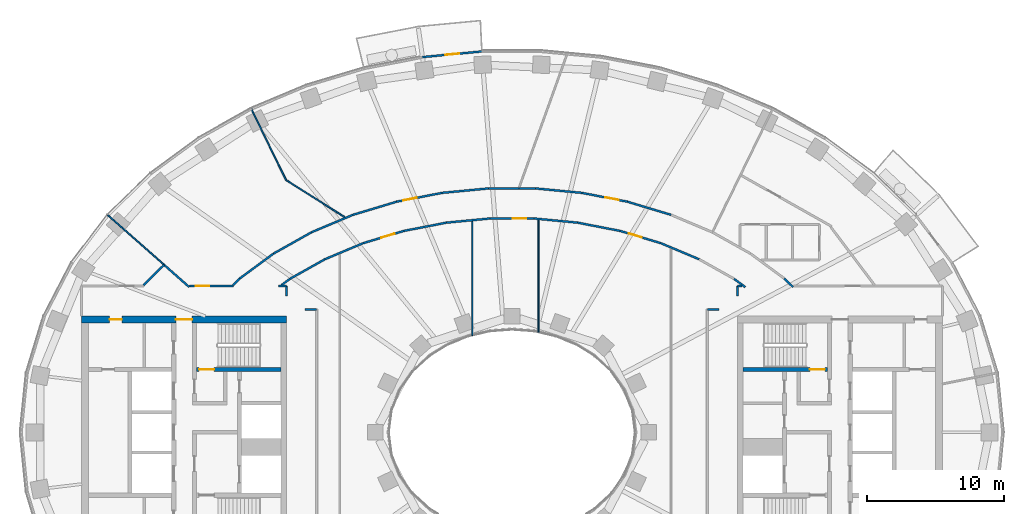
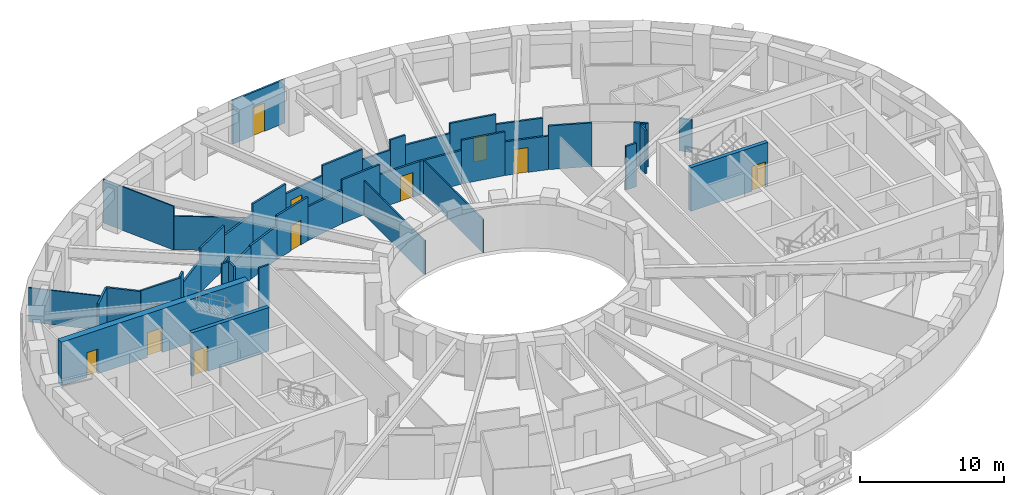
# One storey, part 6 of 17: 43 walls, 11 doors, 11 openings.
"""IFC4 building model written with IfcOpenShell, lengths in metres."""

from ifc_helpers import new_model, si_unit, direction, frame, frame_2d, origin, place, context, subcontext, project, spatial, rectangle, extrude, material, layer, layer_set, type_object, element, fill, save


model = new_model("IFC4")

# Units and contexts
model_context = context("Model", 3, precision=1e-05, world=origin(), true_north=direction((0.0, 1.0)))
body_context = subcontext(model_context, "Body", "Model", "MODEL_VIEW")
ifc_project = project(units=[si_unit("LENGTHUNIT", "METRE"), si_unit("AREAUNIT", "SQUARE_METRE"), si_unit("VOLUMEUNIT", "CUBIC_METRE"), si_unit("PLANEANGLEUNIT", "RADIAN"), si_unit("MASSUNIT", "GRAM", prefix="KILO")], contexts=[model_context])

# Site, building, storey
site_placement = place(None, origin())
site = spatial("IfcSite", under=ifc_project, at=site_placement, CompositionType="ELEMENT")
building_placement = place(site_placement, origin())
building = spatial("IfcBuilding", under=site, at=building_placement, Name="Noorbagh Ring Tower", CompositionType="ELEMENT")
storey_placement = place(building_placement, frame((0.0, 0.0, 120.0)))
storey = spatial("IfcBuildingStorey", under=building, at=storey_placement, Name="L27", CompositionType="ELEMENT", Elevation=120.0)

# Wall, opening, door
ifc_material_1 = material(Name="Concrete C70/85", Category="concrete")
ifc_layer_1 = layer(ifc_material_1, 0.300048828125)
ifc_layer_set_1 = layer_set([ifc_layer_1], Name="Concrete C70/85")
wall_type_1 = type_object("IfcWallType", Name="CORE-WALL-300-C70-85-EI240", PredefinedType="SHEAR", material=ifc_layer_set_1)
wall_1_placement = place(storey_placement, frame((-16.89990234375, 4.60009765625, 0.0), z_axis=(0.0, 0.0, 1.0), x_axis=(-1.0, 0.0, 0.0)))
wall_1 = element("IfcWall", 1, at=wall_1_placement, inside=storey, type_object=wall_type_1, Name="Core wall W", PredefinedType="SHEAR", context=body_context, shape_type="SweptSolid", body=[
    extrude(rectangle(XDim=6.18017578125, YDim=0.300048828125, at=frame_2d((3.090087890625, 0.0))), origin(), (0.0, 0.0, 1.0), 3.699951171875),
])
opening_1_placement = place(wall_1_placement, frame((4.89990234375, 0.0, 0.0)))
opening_1 = element("IfcOpeningElement", 2, at=opening_1_placement, cuts=wall_1, Name="Opening L27-CW05", PredefinedType="OPENING", context=body_context, shape_type="SweptSolid", body=[
    extrude(rectangle(XDim=1.10009765625, YDim=2.10009765625, at=frame_2d((0.550048828125, 1.050048828125))), frame((0.0, 0.16015625, 0.0), z_axis=(0.0, -1.0, 0.0), x_axis=(1.0, 0.0, 0.0)), (0.0, 0.0, 1.0), 0.320068359375),
])
ifc_material_2 = material(Name="Steel door leaf", Category="steel")
door_type_1 = type_object("IfcDoorType", Name="CORE-DOOR-DSTAIR", OperationType="SINGLE_SWING_LEFT", PredefinedType="DOOR", material=ifc_material_2)
door_1_placement = place(opening_1_placement, origin())
door_1 = element("IfcDoor", 3, at=door_1_placement, inside=storey, type_object=door_type_1, Name="Stair door ST1 L27-CW05", OperationType="SINGLE_SWING_RIGHT", OverallHeight=2.10009765625, OverallWidth=1.10009765625, PredefinedType="DOOR", context=body_context, shape_type="SweptSolid", body=[
    extrude(rectangle(XDim=1.10009765625, YDim=2.10009765625, at=frame_2d((0.550048828125, 1.050048828125))), frame((0.0, 0.02490234375, 0.0), z_axis=(0.0, -1.0, 0.0), x_axis=(1.0, 0.0, 0.0)), (0.0, 0.0, 1.0), 0.050048828125),
])
fill(opening_1, door_1)

wall_2_placement = place(storey_placement, frame((16.89990234375, 4.60009765625, 0.0), z_axis=(0.0, 0.0, 1.0), x_axis=(1.0, 0.0, 0.0)))
wall_2 = element("IfcWall", 4, at=wall_2_placement, inside=storey, type_object=wall_type_1, Name="Core wall E", PredefinedType="SHEAR", context=body_context, shape_type="SweptSolid", body=[
    extrude(rectangle(XDim=6.18017578125, YDim=0.300048828125, at=frame_2d((3.090087890625, 0.0))), origin(), (0.0, 0.0, 1.0), 3.699951171875),
])
opening_2_placement = place(wall_2_placement, frame((4.89990234375, 0.0, 0.0)))
opening_2 = element("IfcOpeningElement", 5, at=opening_2_placement, cuts=wall_2, Name="Opening L27-CE05", PredefinedType="OPENING", context=body_context, shape_type="SweptSolid", body=[
    extrude(rectangle(XDim=1.10009765625, YDim=2.10009765625, at=frame_2d((0.550048828125, 1.050048828125))), frame((0.0, 0.16015625, 0.0), z_axis=(0.0, -1.0, 0.0), x_axis=(1.0, 0.0, 0.0)), (0.0, 0.0, 1.0), 0.320068359375),
])
door_2_placement = place(opening_2_placement, origin())
door_2 = element("IfcDoor", 6, at=door_2_placement, inside=storey, type_object=door_type_1, Name="Stair door ST3 L27-CE05", OperationType="SINGLE_SWING_LEFT", OverallHeight=2.10009765625, OverallWidth=1.10009765625, PredefinedType="DOOR", context=body_context, shape_type="SweptSolid", body=[
    extrude(rectangle(XDim=1.10009765625, YDim=2.10009765625, at=frame_2d((0.550048828125, 1.050048828125))), frame((0.0, 0.02490234375, 0.0), z_axis=(0.0, -1.0, 0.0), x_axis=(1.0, 0.0, 0.0)), (0.0, 0.0, 1.0), 0.050048828125),
])
fill(opening_2, door_2)

# Wall, openings, doors
ifc_material_3 = material(Name="Concrete C70/85", Category="concrete")
ifc_layer_2 = layer(ifc_material_3, 0.5)
ifc_layer_set_2 = layer_set([ifc_layer_2], Name="Concrete C70/85")
wall_type_2 = type_object("IfcWallType", Name="CORE-WALL-500-C70-85-EI240", PredefinedType="SHEAR", material=ifc_layer_set_2)
wall_3_placement = place(storey_placement, frame((-16.5, 8.25, 0.0), z_axis=(0.0, 0.0, 1.0), x_axis=(-1.0, 0.0, 0.0)))
wall_3 = element("IfcWall", 7, at=wall_3_placement, inside=storey, type_object=wall_type_2, Name="Core wall W", PredefinedType="SHEAR", context=body_context, shape_type="SweptSolid", body=[
    extrude(rectangle(XDim=15.0, YDim=0.5, at=frame_2d((7.5, 0.0))), origin(), (0.0, 0.0, 1.0), 3.699951171875),
])
opening_3_placement = place(wall_3_placement, frame((6.89990234375, 0.0, 0.0)))
opening_3 = element("IfcOpeningElement", 8, at=opening_3_placement, cuts=wall_3, Name="Opening L27-CW09", PredefinedType="OPENING", context=body_context, shape_type="SweptSolid", body=[
    extrude(rectangle(XDim=1.199951171875, YDim=2.10009765625, at=frame_2d((0.60009765625, 1.050048828125))), frame((0.0, 0.260009765625, 0.0), z_axis=(0.0, -1.0, 0.0), x_axis=(1.0, 0.0, 0.0)), (0.0, 0.0, 1.0), 0.52001953125),
])
opening_4_placement = place(wall_3_placement, frame((12.050048828125, 0.0, 0.0)))
opening_4 = element("IfcOpeningElement", 9, at=opening_4_placement, cuts=wall_3, Name="Opening L27-CW13", PredefinedType="OPENING", context=body_context, shape_type="SweptSolid", body=[
    extrude(rectangle(XDim=0.89990234375, YDim=2.10009765625, at=frame_2d((0.449951171875, 1.050048828125))), frame((0.0, 0.260009765625, 0.0), z_axis=(0.0, -1.0, 0.0), x_axis=(1.0, 0.0, 0.0)), (0.0, 0.0, 1.0), 0.52001953125),
])
ifc_material_4 = material(Name="Steel door leaf", Category="steel")
door_type_2 = type_object("IfcDoorType", Name="CORE-DOOR-DROOM", OperationType="SINGLE_SWING_LEFT", PredefinedType="DOOR", material=ifc_material_4)
door_3_placement = place(opening_4_placement, origin())
door_3 = element("IfcDoor", 10, at=door_3_placement, inside=storey, type_object=door_type_2, Name="Core room door L27-CW13", OperationType="SINGLE_SWING_RIGHT", OverallHeight=2.10009765625, OverallWidth=0.89990234375, PredefinedType="DOOR", context=body_context, shape_type="SweptSolid", body=[
    extrude(rectangle(XDim=0.89990234375, YDim=2.10009765625, at=frame_2d((0.449951171875, 1.050048828125))), frame((0.0, 0.02490234375, 0.0), z_axis=(0.0, -1.0, 0.0), x_axis=(1.0, 0.0, 0.0)), (0.0, 0.0, 1.0), 0.050048828125),
])
fill(opening_4, door_3)
ifc_material_5 = material(Name="Steel door leaf", Category="steel")
door_type_3 = type_object("IfcDoorType", Name="CORE-DOOR-PORT", OperationType="DOUBLE_DOOR_DOUBLE_SWING", PredefinedType="DOOR", material=ifc_material_5)
door_4_placement = place(opening_3_placement, origin())
door_4 = element("IfcDoor", 11, at=door_4_placement, inside=storey, type_object=door_type_3, Name="Core entrance door L27-CW09", OperationType="DOUBLE_DOOR_DOUBLE_SWING", OverallHeight=2.10009765625, OverallWidth=1.199951171875, PredefinedType="DOOR", context=body_context, shape_type="SweptSolid", body=[
    extrude(rectangle(XDim=1.199951171875, YDim=2.10009765625, at=frame_2d((0.60009765625, 1.050048828125))), frame((0.0, 0.02490234375, 0.0), z_axis=(0.0, -1.0, 0.0), x_axis=(1.0, 0.0, 0.0)), (0.0, 0.0, 1.0), 0.050048828125),
])
fill(opening_3, door_4)

# Walls
ifc_material_6 = material(Name="Gypsum board on steel studs", Category="steel")
ifc_layer_3 = layer(ifc_material_6, 0.14990234375)
ifc_layer_set_3 = layer_set([ifc_layer_3], Name="Gypsum board on steel studs")
wall_type_3 = type_object("IfcWallType", Name="CORRIDOR PARTITION 150 EI 30", PredefinedType="PARTITIONING", material=ifc_layer_set_3)
wall_4_placement = place(storey_placement, frame((-26.964111328125, 10.777099609375, 0.0), z_axis=(0.0, 0.0, 1.0), x_axis=(0.714923203438, 0.699202984251, 0.0)))
element("IfcWall", 12, at=wall_4_placement, inside=storey, type_object=wall_type_3, Name="L27/wall/P08", PredefinedType="PARTITIONING", context=body_context, shape_type="SweptSolid", body=[
    extrude(rectangle(XDim=2.112060546875, YDim=0.14990234375, at=frame_2d((1.05615234375, 0.0))), origin(), (0.0, 0.0, 1.0), 3.699951171875),
])
wall_5_placement = place(storey_placement, frame((-25.4541015625, 12.25390625, 0.0), z_axis=(0.0, 0.0, 1.0), x_axis=(0.74918446265, -0.662361412617, 0.0)))
element("IfcWall", 13, at=wall_5_placement, inside=storey, type_object=wall_type_3, Name="L27/wall/P10", PredefinedType="PARTITIONING", context=body_context, shape_type="SweptSolid", body=[
    extrude(rectangle(XDim=2.454833984375, YDim=0.14990234375, at=frame_2d((1.2275390625, 0.0))), origin(), (0.0, 0.0, 1.0), 3.699951171875),
])

# Wall, opening, door
wall_6_placement = place(storey_placement, frame((-23.583984375, 10.699951171875, 0.0), z_axis=(0.0, 0.0, 1.0), x_axis=(1.0, 0.0, 0.0)))
wall_6 = element("IfcWall", 14, at=wall_6_placement, inside=storey, type_object=wall_type_3, Name="L27/wall/P11", PredefinedType="PARTITIONING", context=body_context, shape_type="SweptSolid", body=[
    extrude(rectangle(XDim=3.197021484375, YDim=0.14990234375, at=frame_2d((1.5986328125, 0.0))), origin(), (0.0, 0.0, 1.0), 3.699951171875),
])
opening_5_placement = place(wall_6_placement, frame((0.43896484375, 0.0, 0.0)))
opening_5 = element("IfcOpeningElement", 15, at=opening_5_placement, cuts=wall_6, Name="Opening D1", PredefinedType="OPENING", context=body_context, shape_type="SweptSolid", body=[
    extrude(rectangle(XDim=1.0, YDim=2.10009765625, at=frame_2d((0.5, 1.050048828125))), frame((0.0, 0.0849609375, 0.0), z_axis=(0.0, -1.0, 0.0), x_axis=(1.0, 0.0, 0.0)), (0.0, 0.0, 1.0), 0.169921875),
])
ifc_material_7 = material(Name="Timber, painted", Category="wood")
door_type_4 = type_object("IfcDoorType", Name="DOOR 1000 X 2100 FD30", OperationType="SINGLE_SWING_LEFT", PredefinedType="DOOR", material=ifc_material_7)
door_5_placement = place(opening_5_placement, origin())
door_5 = element("IfcDoor", 16, at=door_5_placement, inside=storey, type_object=door_type_4, Name="L27-D08", OperationType="SINGLE_SWING_RIGHT", OverallHeight=2.10009765625, OverallWidth=1.0, PredefinedType="DOOR", context=body_context, shape_type="SweptSolid", body=[
    extrude(rectangle(XDim=1.0, YDim=2.10009765625, at=frame_2d((0.5, 1.050048828125))), frame((0.0, 0.02490234375, 0.0), z_axis=(0.0, -1.0, 0.0), x_axis=(1.0, 0.0, 0.0)), (0.0, 0.0, 1.0), 0.050048828125),
])
fill(opening_5, door_5)

# Walls
wall_7_placement = place(storey_placement, frame((-20.41796875, 10.77490234375, 0.0), z_axis=(0.0, 0.0, 1.0), x_axis=(0.717033879939, 0.697038316751, 0.0)))
element("IfcWall", 17, at=wall_7_placement, inside=storey, type_object=wall_type_3, Name="L27/wall/P13", PredefinedType="PARTITIONING", context=body_context, shape_type="SweptSolid", body=[
    extrude(rectangle(XDim=0.696044921875, YDim=0.14990234375, at=frame_2d((0.34814453125, 0.0))), origin(), (0.0, 0.0, 1.0), 3.699951171875),
])
wall_8_placement = place(storey_placement, frame((-19.9189453125, 11.260009765625, 0.0), z_axis=(0.0, 0.0, 1.0), x_axis=(0.805185638843, 0.593022838516, 0.0)))
element("IfcWall", 18, at=wall_8_placement, inside=storey, type_object=wall_type_3, Name="L27/wall/P14", PredefinedType="PARTITIONING", context=body_context, shape_type="SweptSolid", body=[
    extrude(rectangle(XDim=3.072509765625, YDim=0.14990234375, at=frame_2d((1.5361328125, 0.0))), origin(), (0.0, 0.0, 1.0), 2.75),
])
wall_9_placement = place(storey_placement, frame((-17.445068359375, 13.08203125, 0.0), z_axis=(0.0, 0.0, 1.0), x_axis=(0.872072095629, 0.489377420837, 0.0)))
element("IfcWall", 19, at=wall_9_placement, inside=storey, type_object=wall_type_3, Name="L27/wall/P18", PredefinedType="PARTITIONING", context=body_context, shape_type="SweptSolid", body=[
    extrude(rectangle(XDim=3.187744140625, YDim=0.14990234375, at=frame_2d((1.59375, 0.0))), origin(), (0.0, 0.0, 1.0), 3.699951171875),
])
wall_10_placement = place(storey_placement, frame((-17.094970703125, 10.699951171875, 0.0), z_axis=(0.0, 0.0, 1.0), x_axis=(1.0, 0.0, 0.0)))
element("IfcWall", 20, at=wall_10_placement, inside=storey, type_object=wall_type_3, Name="L27/wall/P21", PredefinedType="PARTITIONING", context=body_context, shape_type="SweptSolid", body=[
    extrude(rectangle(XDim=0.594970703125, YDim=0.14990234375, at=frame_2d((0.29736328125, 0.0))), origin(), (0.0, 0.0, 1.0), 3.699951171875),
])
wall_11_placement = place(storey_placement, frame((-16.866943359375, 10.77490234375, 0.0), z_axis=(0.0, 0.0, 1.0), x_axis=(0.804751563869, 0.593611759023, 0.0)))
element("IfcWall", 21, at=wall_11_placement, inside=storey, type_object=wall_type_3, Name="L27/wall/P22", PredefinedType="PARTITIONING", context=body_context, shape_type="SweptSolid", body=[
    extrude(rectangle(XDim=0.7666015625, YDim=0.14990234375, at=frame_2d((0.38330078125, 0.0))), origin(), (0.0, 0.0, 1.0), 3.699951171875),
])
wall_12_placement = place(storey_placement, frame((-16.5, 9.964111328125, 0.0), z_axis=(0.0, 0.0, 1.0), x_axis=(0.0, 1.0, 0.0)))
element("IfcWall", 22, at=wall_12_placement, inside=storey, type_object=wall_type_3, Name="L27/wall/P25", PredefinedType="PARTITIONING", context=body_context, shape_type="SweptSolid", body=[
    extrude(rectangle(XDim=0.73583984375, YDim=0.14990234375, at=frame_2d((0.367919921875, 0.0))), origin(), (0.0, 0.0, 1.0), 3.699951171875),
])
wall_13_placement = place(storey_placement, frame((-16.25, 11.22998046875, 0.0), z_axis=(0.0, 0.0, 1.0), x_axis=(0.872147381065, 0.489243237767, 0.0)))
element("IfcWall", 23, at=wall_13_placement, inside=storey, type_object=wall_type_3, Name="L27/wall/P27", PredefinedType="PARTITIONING", context=body_context, shape_type="SweptSolid", body=[
    extrude(rectangle(XDim=2.92724609375, YDim=0.14990234375, at=frame_2d((1.463623046875, 0.0))), origin(), (0.0, 0.0, 1.0), 2.75),
])
wall_14_placement = place(storey_placement, frame((-15.134033203125, 9.0, 0.0), z_axis=(0.0, 0.0, 1.0), x_axis=(1.0, 0.0, 0.0)))
element("IfcWall", 24, at=wall_14_placement, inside=storey, type_object=wall_type_3, Name="L27/wall/P29", PredefinedType="PARTITIONING", context=body_context, shape_type="SweptSolid", body=[
    extrude(rectangle(XDim=0.833984375, YDim=0.14990234375, at=frame_2d((0.4169921875, 0.0))), origin(), (0.0, 0.0, 1.0), 3.699951171875),
])
wall_15_placement = place(storey_placement, frame((-14.6650390625, 14.64208984375, 0.0), z_axis=(0.0, 0.0, 1.0), x_axis=(0.921789499058, 0.38769075231, 0.0)))
element("IfcWall", 25, at=wall_15_placement, inside=storey, type_object=wall_type_3, Name="L27/wall/P31", PredefinedType="PARTITIONING", context=body_context, shape_type="SweptSolid", body=[
    extrude(rectangle(XDim=3.2783203125, YDim=0.14990234375, at=frame_2d((1.63916015625, 0.0))), origin(), (0.0, 0.0, 1.0), 2.85009765625),
])
wall_16_placement = place(storey_placement, frame((-13.697021484375, 12.662109375, 0.0), z_axis=(0.0, 0.0, 1.0), x_axis=(0.921751821358, 0.387780324183, 0.0)))
element("IfcWall", 26, at=wall_16_placement, inside=storey, type_object=wall_type_3, Name="L27/wall/P34", PredefinedType="PARTITIONING", context=body_context, shape_type="SweptSolid", body=[
    extrude(rectangle(XDim=3.037841796875, YDim=0.14990234375, at=frame_2d((1.51904296875, 0.0))), origin(), (0.0, 0.0, 1.0), 2.85009765625),
])
wall_17_placement = place(storey_placement, frame((-11.64306640625, 15.9130859375, 0.0), z_axis=(0.0, 0.0, 1.0), x_axis=(0.957584891346, 0.288151307243, 0.0)))
element("IfcWall", 27, at=wall_17_placement, inside=storey, type_object=wall_type_3, Name="L27/wall/P39", PredefinedType="PARTITIONING", context=body_context, shape_type="SweptSolid", body=[
    extrude(rectangle(XDim=3.344970703125, YDim=0.14990234375, at=frame_2d((1.67236328125, 0.0))), origin(), (0.0, 0.0, 1.0), 3.699951171875),
])

# Wall, opening, door
wall_18_placement = place(storey_placement, frame((-10.89697265625, 13.840087890625, 0.0), z_axis=(0.0, 0.0, 1.0), x_axis=(0.957606118849, 0.28808075455, 0.0)))
wall_18 = element("IfcWall", 28, at=wall_18_placement, inside=storey, type_object=wall_type_3, Name="L27/wall/P41", PredefinedType="PARTITIONING", context=body_context, shape_type="SweptSolid", body=[
    extrude(rectangle(XDim=3.116943359375, YDim=0.14990234375, at=frame_2d((1.55859375, 0.0))), origin(), (0.0, 0.0, 1.0), 3.699951171875),
])
opening_6_placement = place(wall_18_placement, frame((1.39990234375, 0.0, 0.0)))
opening_6 = element("IfcOpeningElement", 29, at=opening_6_placement, cuts=wall_18, Name="Opening D1", PredefinedType="OPENING", context=body_context, shape_type="SweptSolid", body=[
    extrude(rectangle(XDim=1.0, YDim=2.10009765625, at=frame_2d((0.5, 1.050048828125))), frame((0.0, 0.0849609375, 0.0), z_axis=(0.0, -1.0, 0.0), x_axis=(1.0, 0.0, 0.0)), (0.0, 0.0, 1.0), 0.169921875),
])
door_6_placement = place(opening_6_placement, origin())
door_6 = element("IfcDoor", 30, at=door_6_placement, inside=storey, type_object=door_type_4, Name="L27-D20", OperationType="SINGLE_SWING_RIGHT", OverallHeight=2.10009765625, OverallWidth=1.0, PredefinedType="DOOR", context=body_context, shape_type="SweptSolid", body=[
    extrude(rectangle(XDim=1.0, YDim=2.10009765625, at=frame_2d((0.5, 1.050048828125))), frame((0.0, 0.02490234375, 0.0), z_axis=(0.0, -1.0, 0.0), x_axis=(1.0, 0.0, 0.0)), (0.0, 0.0, 1.0), 0.050048828125),
])
fill(opening_6, door_6)

wall_19_placement = place(storey_placement, frame((-8.43994140625, 16.876953125, 0.0), z_axis=(0.0, 0.0, 1.0), x_axis=(0.981665220565, 0.190613207134, 0.0)))
wall_19 = element("IfcWall", 31, at=wall_19_placement, inside=storey, type_object=wall_type_3, Name="L27/wall/P44", PredefinedType="PARTITIONING", context=body_context, shape_type="SweptSolid", body=[
    extrude(rectangle(XDim=3.38916015625, YDim=0.14990234375, at=frame_2d((1.694580078125, 0.0))), origin(), (0.0, 0.0, 1.0), 2.85009765625),
])
opening_7_placement = place(wall_19_placement, frame((0.489013671875, 0.0, 0.0)))
opening_7 = element("IfcOpeningElement", 32, at=opening_7_placement, cuts=wall_19, Name="Opening D1", PredefinedType="OPENING", context=body_context, shape_type="SweptSolid", body=[
    extrude(rectangle(XDim=1.0, YDim=2.10009765625, at=frame_2d((0.5, 1.050048828125))), frame((0.0, 0.0849609375, 0.0), z_axis=(0.0, -1.0, 0.0), x_axis=(1.0, 0.0, 0.0)), (0.0, 0.0, 1.0), 0.169921875),
])
door_7_placement = place(opening_7_placement, origin())
door_7 = element("IfcDoor", 33, at=door_7_placement, inside=storey, type_object=door_type_4, Name="L27-D10", OperationType="SINGLE_SWING_RIGHT", OverallHeight=2.10009765625, OverallWidth=1.0, PredefinedType="DOOR", context=body_context, shape_type="SweptSolid", body=[
    extrude(rectangle(XDim=1.0, YDim=2.10009765625, at=frame_2d((0.5, 1.050048828125))), frame((0.0, 0.02490234375, 0.0), z_axis=(0.0, -1.0, 0.0), x_axis=(1.0, 0.0, 0.0)), (0.0, 0.0, 1.0), 0.050048828125),
])
fill(opening_7, door_7)

# Walls
wall_20_placement = place(storey_placement, frame((-7.912109375, 14.738037109375, 0.0), z_axis=(0.0, 0.0, 1.0), x_axis=(0.981588545092, 0.191007665145, 0.0)))
element("IfcWall", 34, at=wall_20_placement, inside=storey, type_object=wall_type_3, Name="L27/wall/P46", PredefinedType="PARTITIONING", context=body_context, shape_type="SweptSolid", body=[
    extrude(rectangle(XDim=3.17236328125, YDim=0.14990234375, at=frame_2d((1.586181640625, 0.0))), origin(), (0.0, 0.0, 1.0), 2.85009765625),
])
wall_21_placement = place(storey_placement, frame((-5.113037109375, 17.52294921875, 0.0), z_axis=(0.0, 0.0, 1.0), x_axis=(0.995466844572, 0.095109207532, 0.0)))
element("IfcWall", 35, at=wall_21_placement, inside=storey, type_object=wall_type_3, Name="L27/wall/P49", PredefinedType="PARTITIONING", context=body_context, shape_type="SweptSolid", body=[
    extrude(rectangle(XDim=3.41650390625, YDim=0.14990234375, at=frame_2d((1.708251953125, 0.0))), origin(), (0.0, 0.0, 1.0), 3.699951171875),
])
wall_22_placement = place(storey_placement, frame((-4.798095703125, 15.343994140625, 0.0), z_axis=(0.0, 0.0, 1.0), x_axis=(0.995491705426, 0.09484863957, 0.0)))
element("IfcWall", 36, at=wall_22_placement, inside=storey, type_object=wall_type_3, Name="L27/wall/P51", PredefinedType="PARTITIONING", context=body_context, shape_type="SweptSolid", body=[
    extrude(rectangle(XDim=3.20458984375, YDim=0.14990234375, at=frame_2d((1.602294921875, 0.0))), origin(), (0.0, 0.0, 1.0), 3.699951171875),
])
wall_23_placement = place(storey_placement, frame((-1.7119140625, 17.847900390625, 0.0), z_axis=(0.0, 0.0, 1.0), x_axis=(1.0, 0.0, 0.0)))
element("IfcWall", 37, at=wall_23_placement, inside=storey, type_object=wall_type_3, Name="L27/wall/P55", PredefinedType="PARTITIONING", context=body_context, shape_type="SweptSolid", body=[
    extrude(rectangle(XDim=2.261962890625, YDim=0.14990234375, at=frame_2d((1.130859375, 0.0))), origin(), (0.0, 0.0, 1.0), 2.85009765625),
])

# Wall, opening, door
wall_24_placement = place(storey_placement, frame((-1.60791015625, 15.64794921875, 0.0), z_axis=(0.0, 0.0, 1.0), x_axis=(1.0, 0.0, 0.0)))
wall_24 = element("IfcWall", 38, at=wall_24_placement, inside=storey, type_object=wall_type_3, Name="L27/wall/P57", PredefinedType="PARTITIONING", context=body_context, shape_type="SweptSolid", body=[
    extrude(rectangle(XDim=3.2158203125, YDim=0.14990234375, at=frame_2d((1.60791015625, 0.0))), origin(), (0.0, 0.0, 1.0), 2.85009765625),
])
opening_8_placement = place(wall_24_placement, frame((1.64990234375, 0.0, 0.0)))
opening_8 = element("IfcOpeningElement", 39, at=opening_8_placement, cuts=wall_24, Name="Opening D1", PredefinedType="OPENING", context=body_context, shape_type="SweptSolid", body=[
    extrude(rectangle(XDim=1.0, YDim=2.10009765625, at=frame_2d((0.5, 1.050048828125))), frame((0.0, 0.0849609375, 0.0), z_axis=(0.0, -1.0, 0.0), x_axis=(1.0, 0.0, 0.0)), (0.0, 0.0, 1.0), 0.169921875),
])
door_8_placement = place(opening_8_placement, origin())
door_8 = element("IfcDoor", 40, at=door_8_placement, inside=storey, type_object=door_type_4, Name="L27-D22", OperationType="SINGLE_SWING_RIGHT", OverallHeight=2.10009765625, OverallWidth=1.0, PredefinedType="DOOR", context=body_context, shape_type="SweptSolid", body=[
    extrude(rectangle(XDim=1.0, YDim=2.10009765625, at=frame_2d((0.5, 1.050048828125))), frame((0.0, 0.02490234375, 0.0), z_axis=(0.0, -1.0, 0.0), x_axis=(1.0, 0.0, 0.0)), (0.0, 0.0, 1.0), 0.050048828125),
])
fill(opening_8, door_8)

# Walls
wall_25_placement = place(storey_placement, frame((0.509033203125, 17.847900390625, 0.0), z_axis=(0.0, 0.0, 1.0), x_axis=(1.0, 0.0, 0.0)))
element("IfcWall", 41, at=wall_25_placement, inside=storey, type_object=wall_type_3, Name="L27/wall/P59", PredefinedType="PARTITIONING", context=body_context, shape_type="SweptSolid", body=[
    extrude(rectangle(XDim=1.202880859375, YDim=0.14990234375, at=frame_2d((0.6015625, 0.0))), origin(), (0.0, 0.0, 1.0), 3.699951171875),
])
wall_26_placement = place(storey_placement, frame((1.60791015625, 15.64794921875, 0.0), z_axis=(0.0, 0.0, 1.0), x_axis=(0.995491705426, -0.09484863957, 0.0)))
element("IfcWall", 42, at=wall_26_placement, inside=storey, type_object=wall_type_3, Name="L27/wall/P62", PredefinedType="PARTITIONING", context=body_context, shape_type="SweptSolid", body=[
    extrude(rectangle(XDim=3.20458984375, YDim=0.14990234375, at=frame_2d((1.602294921875, 0.0))), origin(), (0.0, 0.0, 1.0), 2.85009765625),
])
wall_27_placement = place(storey_placement, frame((1.7119140625, 17.847900390625, 0.0), z_axis=(0.0, 0.0, 1.0), x_axis=(0.995466844572, -0.095109207532, 0.0)))
element("IfcWall", 43, at=wall_27_placement, inside=storey, type_object=wall_type_3, Name="L27/wall/P64", PredefinedType="PARTITIONING", context=body_context, shape_type="SweptSolid", body=[
    extrude(rectangle(XDim=3.41650390625, YDim=0.14990234375, at=frame_2d((1.708251953125, 0.0))), origin(), (0.0, 0.0, 1.0), 2.85009765625),
])
wall_28_placement = place(storey_placement, frame((4.798095703125, 15.343994140625, 0.0), z_axis=(0.0, 0.0, 1.0), x_axis=(0.981588545092, -0.191007665145, 0.0)))
element("IfcWall", 44, at=wall_28_placement, inside=storey, type_object=wall_type_3, Name="L27/wall/P68", PredefinedType="PARTITIONING", context=body_context, shape_type="SweptSolid", body=[
    extrude(rectangle(XDim=3.17236328125, YDim=0.14990234375, at=frame_2d((1.586181640625, 0.0))), origin(), (0.0, 0.0, 1.0), 3.699951171875),
])

# Wall, opening, door
wall_29_placement = place(storey_placement, frame((5.113037109375, 17.52294921875, 0.0), z_axis=(0.0, 0.0, 1.0), x_axis=(0.981665220565, -0.190613207134, 0.0)))
wall_29 = element("IfcWall", 45, at=wall_29_placement, inside=storey, type_object=wall_type_3, Name="L27/wall/P70", PredefinedType="PARTITIONING", context=body_context, shape_type="SweptSolid", body=[
    extrude(rectangle(XDim=3.38916015625, YDim=0.14990234375, at=frame_2d((1.694580078125, 0.0))), origin(), (0.0, 0.0, 1.0), 3.699951171875),
])
opening_9_placement = place(wall_29_placement, frame((1.739013671875, 0.0, 0.0)))
opening_9 = element("IfcOpeningElement", 46, at=opening_9_placement, cuts=wall_29, Name="Opening D1", PredefinedType="OPENING", context=body_context, shape_type="SweptSolid", body=[
    extrude(rectangle(XDim=1.0, YDim=2.10009765625, at=frame_2d((0.5, 1.050048828125))), frame((0.0, 0.0849609375, 0.0), z_axis=(0.0, -1.0, 0.0), x_axis=(1.0, 0.0, 0.0)), (0.0, 0.0, 1.0), 0.169921875),
])
door_9_placement = place(opening_9_placement, origin())
door_9 = element("IfcDoor", 47, at=door_9_placement, inside=storey, type_object=door_type_4, Name="L27-D13", OperationType="SINGLE_SWING_LEFT", OverallHeight=2.10009765625, OverallWidth=1.0, PredefinedType="DOOR", context=body_context, shape_type="SweptSolid", body=[
    extrude(rectangle(XDim=1.0, YDim=2.10009765625, at=frame_2d((0.5, 1.050048828125))), frame((0.0, 0.02490234375, 0.0), z_axis=(0.0, -1.0, 0.0), x_axis=(1.0, 0.0, 0.0)), (0.0, 0.0, 1.0), 0.050048828125),
])
fill(opening_9, door_9)

wall_30_placement = place(storey_placement, frame((7.912109375, 14.738037109375, 0.0), z_axis=(0.0, 0.0, 1.0), x_axis=(0.957606118849, -0.28808075455, 0.0)))
wall_30 = element("IfcWall", 48, at=wall_30_placement, inside=storey, type_object=wall_type_3, Name="L27/wall/P73", PredefinedType="PARTITIONING", context=body_context, shape_type="SweptSolid", body=[
    extrude(rectangle(XDim=3.116943359375, YDim=0.14990234375, at=frame_2d((1.55859375, 0.0))), origin(), (0.0, 0.0, 1.0), 2.85009765625),
])
opening_10_placement = place(wall_30_placement, frame((0.64990234375, 0.0, 0.0)))
opening_10 = element("IfcOpeningElement", 49, at=opening_10_placement, cuts=wall_30, Name="Opening D1", PredefinedType="OPENING", context=body_context, shape_type="SweptSolid", body=[
    extrude(rectangle(XDim=1.0, YDim=2.10009765625, at=frame_2d((0.5, 1.050048828125))), frame((0.0, 0.0849609375, 0.0), z_axis=(0.0, -1.0, 0.0), x_axis=(1.0, 0.0, 0.0)), (0.0, 0.0, 1.0), 0.169921875),
])
door_10_placement = place(opening_10_placement, origin())
door_10 = element("IfcDoor", 50, at=door_10_placement, inside=storey, type_object=door_type_4, Name="L27-D23", OperationType="SINGLE_SWING_LEFT", OverallHeight=2.10009765625, OverallWidth=1.0, PredefinedType="DOOR", context=body_context, shape_type="SweptSolid", body=[
    extrude(rectangle(XDim=1.0, YDim=2.10009765625, at=frame_2d((0.5, 1.050048828125))), frame((0.0, 0.02490234375, 0.0), z_axis=(0.0, -1.0, 0.0), x_axis=(1.0, 0.0, 0.0)), (0.0, 0.0, 1.0), 0.050048828125),
])
fill(opening_10, door_10)

# Walls
wall_31_placement = place(storey_placement, frame((8.43994140625, 16.876953125, 0.0), z_axis=(0.0, 0.0, 1.0), x_axis=(0.957584891346, -0.288151307243, 0.0)))
element("IfcWall", 51, at=wall_31_placement, inside=storey, type_object=wall_type_3, Name="L27/wall/P75", PredefinedType="PARTITIONING", context=body_context, shape_type="SweptSolid", body=[
    extrude(rectangle(XDim=3.344970703125, YDim=0.14990234375, at=frame_2d((1.67236328125, 0.0))), origin(), (0.0, 0.0, 1.0), 2.85009765625),
])
wall_32_placement = place(storey_placement, frame((10.89697265625, 13.840087890625, 0.0), z_axis=(0.0, 0.0, 1.0), x_axis=(0.921751821358, -0.387780324183, 0.0)))
element("IfcWall", 52, at=wall_32_placement, inside=storey, type_object=wall_type_3, Name="L27/wall/P78", PredefinedType="PARTITIONING", context=body_context, shape_type="SweptSolid", body=[
    extrude(rectangle(XDim=3.037841796875, YDim=0.14990234375, at=frame_2d((1.51904296875, 0.0))), origin(), (0.0, 0.0, 1.0), 3.699951171875),
])
wall_33_placement = place(storey_placement, frame((14.300048828125, 9.0, 0.0), z_axis=(0.0, 0.0, 1.0), x_axis=(1.0, 0.0, 0.0)))
element("IfcWall", 53, at=wall_33_placement, inside=storey, type_object=wall_type_3, Name="L27/wall/P86", PredefinedType="PARTITIONING", context=body_context, shape_type="SweptSolid", body=[
    extrude(rectangle(XDim=0.833984375, YDim=0.14990234375, at=frame_2d((0.4169921875, 0.0))), origin(), (0.0, 0.0, 1.0), 3.699951171875),
])
wall_34_placement = place(storey_placement, frame((16.25, 11.22998046875, 0.0), z_axis=(0.0, 0.0, 1.0), x_axis=(0.805055837353, -0.59319903805, 0.0)))
element("IfcWall", 54, at=wall_34_placement, inside=storey, type_object=wall_type_3, Name="L27/wall/P91", PredefinedType="PARTITIONING", context=body_context, shape_type="SweptSolid", body=[
    extrude(rectangle(XDim=1.019775390625, YDim=0.14990234375, at=frame_2d((0.509765625, 0.0))), origin(), (0.0, 0.0, 1.0), 3.699951171875),
])
wall_35_placement = place(storey_placement, frame((16.5, 9.964111328125, 0.0), z_axis=(0.0, 0.0, 1.0), x_axis=(0.0, 1.0, 0.0)))
element("IfcWall", 55, at=wall_35_placement, inside=storey, type_object=wall_type_3, Name="L27/wall/P94", PredefinedType="PARTITIONING", context=body_context, shape_type="SweptSolid", body=[
    extrude(rectangle(XDim=0.73583984375, YDim=0.14990234375, at=frame_2d((0.367919921875, 0.0))), origin(), (0.0, 0.0, 1.0), 3.699951171875),
])
wall_36_placement = place(storey_placement, frame((16.5, 10.699951171875, 0.0), z_axis=(0.0, 0.0, 1.0), x_axis=(1.0, 0.0, 0.0)))
element("IfcWall", 56, at=wall_36_placement, inside=storey, type_object=wall_type_3, Name="L27/wall/P95", PredefinedType="PARTITIONING", context=body_context, shape_type="SweptSolid", body=[
    extrude(rectangle(XDim=0.343017578125, YDim=0.14990234375, at=frame_2d((0.17138671875, 0.0))), origin(), (0.0, 0.0, 1.0), 3.699951171875),
])
wall_37_placement = place(storey_placement, frame((19.9189453125, 11.260009765625, 0.0), z_axis=(0.0, 0.0, 1.0), x_axis=(0.716953986293, -0.697120492841, 0.0)))
element("IfcWall", 57, at=wall_37_placement, inside=storey, type_object=wall_type_3, Name="L27/wall/P105", PredefinedType="PARTITIONING", context=body_context, shape_type="SweptSolid", body=[
    extrude(rectangle(XDim=0.910888671875, YDim=0.14990234375, at=frame_2d((0.45556640625, 0.0))), origin(), (0.0, 0.0, 1.0), 2.75),
])

# Wall, opening, door
ifc_material_8 = material(Name="Insulated aluminium clad panel", Category="aluminium")
ifc_layer_4 = layer(ifc_material_8, 0.14990234375)
ifc_layer_set_4 = layer_set([ifc_layer_4], Name="Insulated aluminium clad panel")
wall_type_4 = type_object("IfcWallType", Name="ENV-WALL-DOOR", PredefinedType="STANDARD", material=ifc_layer_set_4)
wall_38_placement = place(storey_placement, frame((-2.166259765625, 27.875244140625, 0.0), z_axis=(0.0, 0.0, 1.0), x_axis=(-0.995473879823, -0.095035543824, 0.0)))
wall_38 = element("IfcWall", 58, at=wall_38_placement, inside=storey, type_object=wall_type_4, Name="Balcony door wall chord 13", PredefinedType="STANDARD", context=body_context, shape_type="SweptSolid", body=[
    extrude(rectangle(XDim=4.42626953125, YDim=0.14990234375, at=frame_2d((2.213134765625, 0.0))), origin(), (0.0, 0.0, 1.0), 3.699951171875),
])
opening_11_placement = place(wall_38_placement, frame((1.713134765625, 0.0, 0.0)))
opening_11 = element("IfcOpeningElement", 59, at=opening_11_placement, cuts=wall_38, Name="Opening D-BL", PredefinedType="OPENING", context=body_context, shape_type="SweptSolid", body=[
    extrude(rectangle(XDim=1.0, YDim=2.39990234375, at=frame_2d((0.5, 1.199951171875))), frame((0.0, 0.0849609375, 0.0), z_axis=(0.0, -1.0, 0.0), x_axis=(1.0, 0.0, 0.0)), (0.0, 0.0, 1.0), 0.169921875),
])
ifc_material_9 = material(Name="Aluminium and glass", Category="aluminium")
door_type_5 = type_object("IfcDoorType", Name="ENV-DOOR-BALCONY", OperationType="SINGLE_SWING_LEFT", PredefinedType="DOOR", material=ifc_material_9)
door_11_placement = place(opening_11_placement, origin())
door_11 = element("IfcDoor", 60, at=door_11_placement, inside=storey, type_object=door_type_5, Name="Balcony door chord 13", OperationType="SINGLE_SWING_RIGHT", OverallHeight=2.39990234375, OverallWidth=1.0, PredefinedType="DOOR", context=body_context, shape_type="SweptSolid", body=[
    extrude(rectangle(XDim=1.0, YDim=2.39990234375, at=frame_2d((0.5, 1.199951171875))), frame((0.0, 0.02490234375, 0.0), z_axis=(0.0, -1.0, 0.0), x_axis=(1.0, 0.0, 0.0)), (0.0, 0.0, 1.0), 0.050048828125),
])
fill(opening_11, door_11)

# Walls
ifc_material_10 = material(Name="Gypsum board on steel studs", Category="steel")
ifc_layer_5 = layer(ifc_material_10, 0.10009765625)
ifc_layer_set_5 = layer_set([ifc_layer_5], Name="Gypsum board on steel studs")
wall_type_5 = type_object("IfcWallType", Name="PARTITION 100 GYPSUM", PredefinedType="PARTITIONING", material=ifc_layer_set_5)
wall_39_placement = place(storey_placement, frame((-29.569091796875, 15.89501953125, 0.0), z_axis=(0.0, 0.0, 1.0), x_axis=(0.74891259533, -0.662668789484, 0.0)))
element("IfcWall", 61, at=wall_39_placement, inside=storey, type_object=wall_type_5, Name="L27/wall/P06", PredefinedType="PARTITIONING", context=body_context, shape_type="SweptSolid", body=[
    extrude(rectangle(XDim=5.49462890625, YDim=0.10009765625, at=frame_2d((2.747314453125, 0.0))), origin(), (0.0, 0.0, 1.0), 2.89990234375),
])
wall_40_placement = place(storey_placement, frame((-19.0859375, 23.68505859375, 0.0), z_axis=(0.0, 0.0, 1.0), x_axis=(0.439196051017, -0.898391244821, 0.0)))
element("IfcWall", 62, at=wall_40_placement, inside=storey, type_object=wall_type_5, Name="L27/wall/P16", PredefinedType="PARTITIONING", context=body_context, shape_type="SweptSolid", body=[
    extrude(rectangle(XDim=5.908447265625, YDim=0.10009765625, at=frame_2d((2.9541015625, 0.0))), origin(), (0.0, 0.0, 1.0), 3.699951171875),
])
wall_41_placement = place(storey_placement, frame((-16.451904296875, 18.412109375, 0.0), z_axis=(0.0, 0.0, 1.0), x_axis=(0.844845649947, -0.535010119312, 0.0)))
element("IfcWall", 63, at=wall_41_placement, inside=storey, type_object=wall_type_5, Name="L27/wall/P23", PredefinedType="PARTITIONING", context=body_context, shape_type="SweptSolid", body=[
    extrude(rectangle(XDim=4.983154296875, YDim=0.10009765625, at=frame_2d((2.49169921875, 0.0))), origin(), (0.0, 0.0, 1.0), 2.85009765625),
])
wall_42_placement = place(storey_placement, frame((-2.908935546875, 7.08203125, 0.0), z_axis=(0.0, 0.0, 1.0), x_axis=(0.0, 1.0, 0.0)))
element("IfcWall", 64, at=wall_42_placement, inside=storey, type_object=wall_type_5, Name="L27/wall/P53", PredefinedType="PARTITIONING", context=body_context, shape_type="SweptSolid", body=[
    extrude(rectangle(XDim=8.363037109375, YDim=0.10009765625, at=frame_2d((4.181640625, 0.0))), origin(), (0.0, 0.0, 1.0), 2.89990234375),
])
wall_43_placement = place(storey_placement, frame((1.93896484375, 7.306884765625, 0.0), z_axis=(0.0, 0.0, 1.0), x_axis=(0.0, 1.0, 0.0)))
element("IfcWall", 65, at=wall_43_placement, inside=storey, type_object=wall_type_5, Name="L27/wall/P66", PredefinedType="PARTITIONING", context=body_context, shape_type="SweptSolid", body=[
    extrude(rectangle(XDim=8.230224609375, YDim=0.10009765625, at=frame_2d((4.115234375, 0.0))), origin(), (0.0, 0.0, 1.0), 2.85009765625),
])

save(model, "model.ifc")
